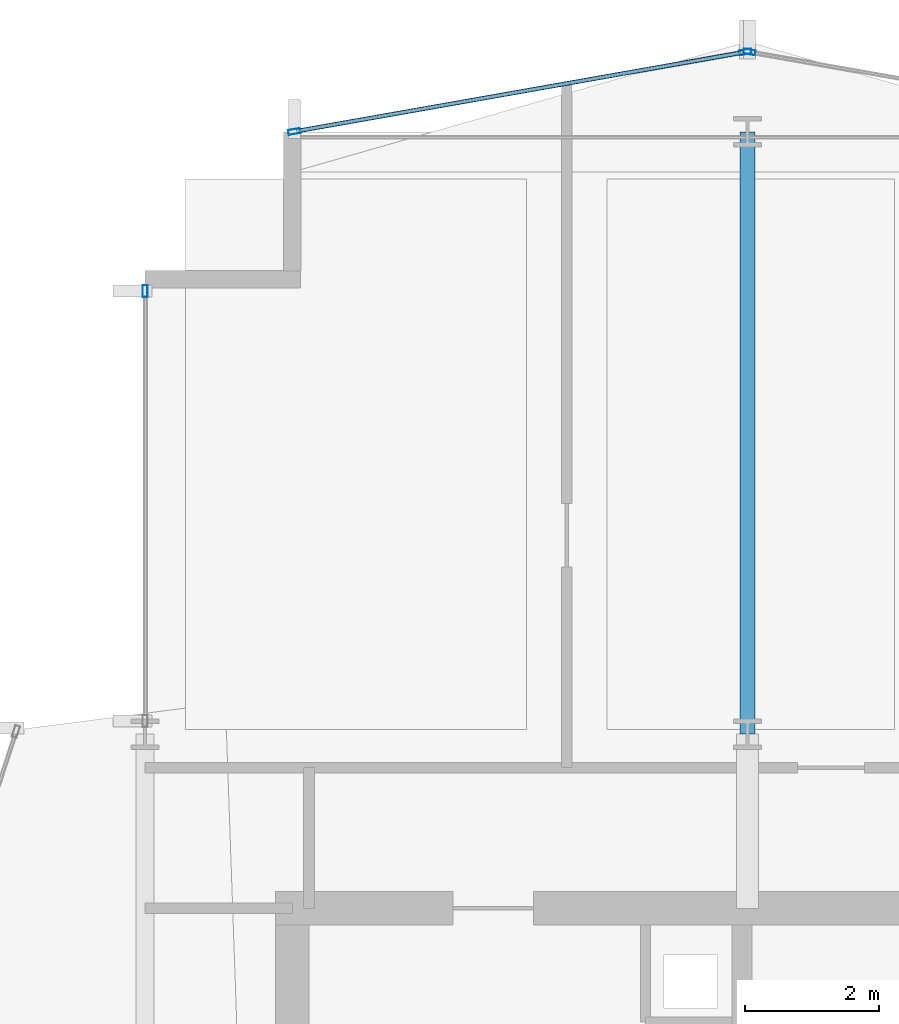
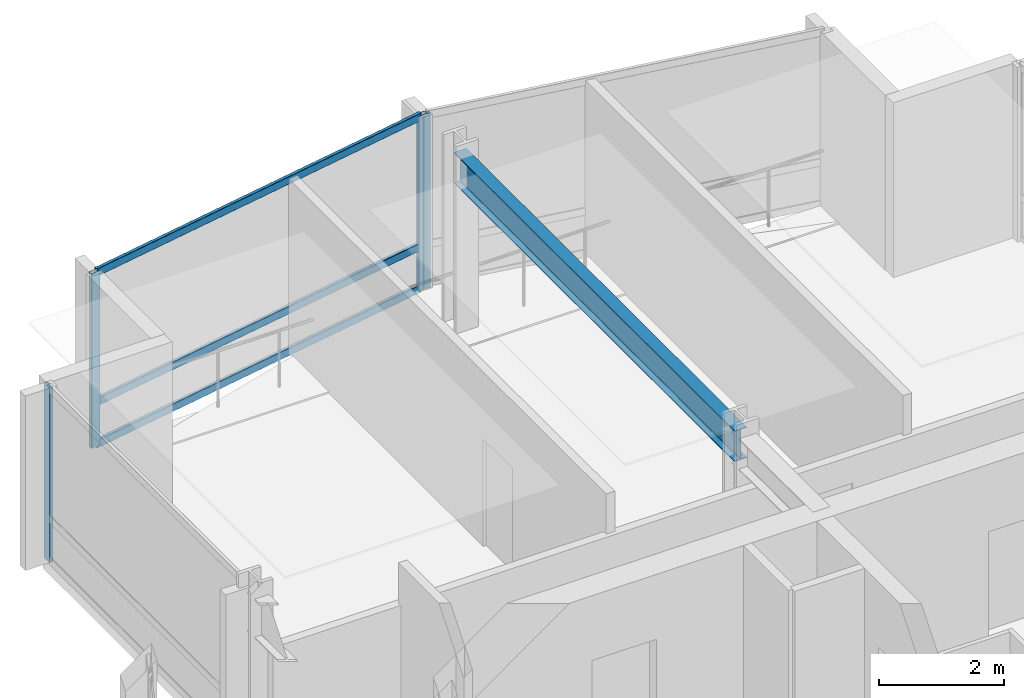
# One storey, part 19 of 29: 7 members, 1 beam, 3 elements without a shape of their own.
"""IFC4 building model written with IfcOpenShell, lengths in metres."""

from ifc_helpers import new_model, si_unit, direction, frame, origin, origin_2d, place, context, subcontext, project, spatial, hollow_rectangle, i_section, extrude, material, layer, layer_set, material_profile, profile_set, type_object, element, aggregate, save


model = new_model("IFC4")

# Units and contexts
model_context = context("Model", 3, precision=1e-05, world=origin(), true_north=direction((0.0, 1.0)))
body_context = subcontext(model_context, "Body", "Model", "MODEL_VIEW")
ifc_project = project(units=[si_unit("LENGTHUNIT", "METRE"), si_unit("AREAUNIT", "SQUARE_METRE"), si_unit("VOLUMEUNIT", "CUBIC_METRE"), si_unit("PLANEANGLEUNIT", "RADIAN"), si_unit("MASSUNIT", "GRAM", prefix="KILO")], contexts=[model_context])

# Site, building, storey
site_placement = place(None, origin())
site = spatial("IfcSite", under=ifc_project, at=site_placement, CompositionType="ELEMENT")
building_placement = place(site_placement, origin())
building = spatial("IfcBuilding", under=site, at=building_placement, Name="Solvaryn Broadcast Tower", CompositionType="ELEMENT")
storey_placement = place(building_placement, frame((0.0, 0.0, 128.5)))
storey = spatial("IfcBuildingStorey", under=building, at=storey_placement, Name="L31", CompositionType="ELEMENT", Elevation=128.5)

# Beam
ifc_material_1 = material(Name="Steel ASTM A992 Grade 50", Category="steel")
ifc_material_profile_1 = material_profile(ifc_material_1, i_section(OverallWidth=0.22802734375, OverallDepth=0.60791015625, WebThickness=0.01123046875, FlangeThickness=0.017333984375, FilletRadius=0.014892578125, at=origin_2d()))
ifc_profile_set_1 = profile_set([ifc_material_profile_1], Name="Steel ASTM A992 Grade 50")
beam_type = type_object("IfcBeamType", Name="BM-B2-W24X76", PredefinedType="BEAM", material=ifc_profile_set_1)
beam_placement = place(storey_placement, frame((18.0, 45.0, 3.115966796875), z_axis=(0.0, 1.0, 0.0), x_axis=(-1.0, 0.0, 0.0)))
element("IfcBeam", 1, at=beam_placement, inside=storey, type_object=beam_type, Name="L31 Primary Beam Y (45-54 @ X=18)", PredefinedType="BEAM", context=body_context, shape_type="SweptSolid", body=[
    extrude(i_section(OverallWidth=0.22802734375, OverallDepth=0.60791015625, WebThickness=0.01123046875, FlangeThickness=0.017333984375, FilletRadius=0.014892578125, at=origin_2d()), origin(), (0.0, 0.0, 1.0), 9.0),
])

# Curtain wall, member
ifc_material_2 = material(Name="Aluminium and Terracotta Unitised Curtain Wall", Category="masonry")
ifc_layer = layer(ifc_material_2, 0.199951171875)
ifc_layer_set = layer_set([ifc_layer], Name="CW-SYS2-LOWMID")
curtain_wall_type = type_object("IfcCurtainWallType", Name="CW-SYS2-LOWMID", PredefinedType="NOTDEFINED", material=ifc_layer_set)
curtain_wall_1_placement = place(storey_placement, origin())
curtain_wall_1 = element("IfcCurtainWall", 2, at=curtain_wall_1_placement, inside=storey, type_object=curtain_wall_type, Name="L31 Curtain Wall W2", PredefinedType="NOTDEFINED")
ifc_material_3 = material(Name="Anodised Aluminium 6063-T6", Category="aluminium")
ifc_material_profile_2 = material_profile(ifc_material_3, hollow_rectangle(XDim=0.074951171875, YDim=0.179931640625, WallThickness=0.00390625, InnerFilletRadius=0.00390625, OuterFilletRadius=0.008056640625, at=origin_2d()))
ifc_profile_set_2 = profile_set([ifc_material_profile_2], Name="Anodised Aluminium 6063-T6")
member_type_1 = type_object("IfcMemberType", Name="CW-MUL-180", PredefinedType="MULLION", material=ifc_profile_set_2)
member_1_placement = place(storey_placement, frame((9.0, 51.6201171875, 0.0), z_axis=(0.0, 0.0, 1.0), x_axis=(-1.0, 0.0, 0.0)))
member_1 = element("IfcMember", 3, at=member_1_placement, type_object=member_type_1, Name="CWS2 mullion 2", PredefinedType="MULLION", context=body_context, shape_type="SweptSolid", body=[
    extrude(hollow_rectangle(XDim=0.074951171875, YDim=0.179931640625, WallThickness=0.00390625, InnerFilletRadius=0.00390625, OuterFilletRadius=0.008056640625, at=origin_2d()), origin(), (0.0, 0.0, 1.0), 3.419921875),
])
aggregate(curtain_wall_1, [member_1])

curtain_wall_2_placement = place(storey_placement, origin())
curtain_wall_2 = element("IfcCurtainWall", 4, at=curtain_wall_2_placement, inside=storey, type_object=curtain_wall_type, Name="L31 Curtain Wall NT1", PredefinedType="NOTDEFINED")
member_2_placement = place(storey_placement, frame((18.029541015625, 55.19482421875, 0.0), z_axis=(0.0, 0.0, 1.0), x_axis=(-0.173785333901, -0.984783558819, 0.0)))
member_2 = element("IfcMember", 5, at=member_2_placement, type_object=member_type_1, Name="CWS2 mullion 2", PredefinedType="MULLION", context=body_context, shape_type="SweptSolid", body=[
    extrude(hollow_rectangle(XDim=0.074951171875, YDim=0.179931640625, WallThickness=0.00390625, InnerFilletRadius=0.00390625, OuterFilletRadius=0.008056640625, at=origin_2d()), origin(), (0.0, 0.0, 1.0), 3.419921875),
])
aggregate(curtain_wall_2, [member_2])

# Curtain wall, members
curtain_wall_3_placement = place(storey_placement, origin())
curtain_wall_3 = element("IfcCurtainWall", 6, at=curtain_wall_3_placement, inside=storey, type_object=curtain_wall_type, Name="L31 Curtain Wall NT2", PredefinedType="NOTDEFINED")
member_3_placement = place(storey_placement, frame((17.970458984375, 55.19482421875, 0.0), z_axis=(0.0, 0.0, 1.0), x_axis=(0.173785333901, -0.984783558819, 0.0)))
member_3 = element("IfcMember", 7, at=member_3_placement, type_object=member_type_1, Name="CWS2 mullion 1", PredefinedType="MULLION", context=body_context, shape_type="SweptSolid", body=[
    extrude(hollow_rectangle(XDim=0.074951171875, YDim=0.179931640625, WallThickness=0.00390625, InnerFilletRadius=0.00390625, OuterFilletRadius=0.008056640625, at=origin_2d()), origin(), (0.0, 0.0, 1.0), 3.419921875),
])
member_4_placement = place(storey_placement, frame((11.2294921875, 54.005126953125, 0.0), z_axis=(0.0, 0.0, 1.0), x_axis=(0.173785333901, -0.984783558819, 0.0)))
member_4 = element("IfcMember", 8, at=member_4_placement, type_object=member_type_1, Name="CWS2 mullion 2", PredefinedType="MULLION", context=body_context, shape_type="SweptSolid", body=[
    extrude(hollow_rectangle(XDim=0.074951171875, YDim=0.179931640625, WallThickness=0.00390625, InnerFilletRadius=0.00390625, OuterFilletRadius=0.008056640625, at=origin_2d()), origin(), (0.0, 0.0, 1.0), 3.419921875),
])
ifc_material_4 = material(Name="Anodised Aluminium 6063-T6", Category="aluminium")
ifc_material_profile_3 = material_profile(ifc_material_4, hollow_rectangle(XDim=0.06494140625, YDim=0.14990234375, WallThickness=0.00390625, InnerFilletRadius=0.00390625, OuterFilletRadius=0.008056640625, at=origin_2d()))
ifc_profile_set_3 = profile_set([ifc_material_profile_3], Name="Anodised Aluminium 6063-T6")
member_type_2 = type_object("IfcMemberType", Name="CW-TRN-150", PredefinedType="USERDEFINED", material=ifc_profile_set_3)
member_5_placement = place(storey_placement, frame((17.94091796875, 55.189453125, 0.030029296875), z_axis=(-0.984788629673, -0.173756596613, 0.0), x_axis=(0.173756596613, -0.984788629673, 0.0)))
member_5 = element("IfcMember", 9, at=member_5_placement, type_object=member_type_2, Name="CWS2 transom 1.1", ObjectType="TRANSOM", PredefinedType="USERDEFINED", context=body_context, shape_type="SweptSolid", body=[
    extrude(hollow_rectangle(XDim=0.06494140625, YDim=0.14990234375, WallThickness=0.00390625, InnerFilletRadius=0.00390625, OuterFilletRadius=0.008056640625, at=origin_2d()), origin(), (0.0, 0.0, 1.0), 6.78515625),
])
member_6_placement = place(storey_placement, frame((17.94091796875, 55.189453125, 0.85009765625), z_axis=(-0.984788629673, -0.173756596613, 0.0), x_axis=(0.173756596613, -0.984788629673, 0.0)))
member_6 = element("IfcMember", 10, at=member_6_placement, type_object=member_type_2, Name="CWS2 transom 1.2", ObjectType="TRANSOM", PredefinedType="USERDEFINED", context=body_context, shape_type="SweptSolid", body=[
    extrude(hollow_rectangle(XDim=0.06494140625, YDim=0.14990234375, WallThickness=0.00390625, InnerFilletRadius=0.00390625, OuterFilletRadius=0.008056640625, at=origin_2d()), origin(), (0.0, 0.0, 1.0), 6.78515625),
])
member_7_placement = place(storey_placement, frame((17.94091796875, 55.189453125, 3.389892578125), z_axis=(-0.984788629673, -0.173756596613, 0.0), x_axis=(0.173756596613, -0.984788629673, 0.0)))
member_7 = element("IfcMember", 11, at=member_7_placement, type_object=member_type_2, Name="CWS2 transom 1.3", ObjectType="TRANSOM", PredefinedType="USERDEFINED", context=body_context, shape_type="SweptSolid", body=[
    extrude(hollow_rectangle(XDim=0.06494140625, YDim=0.14990234375, WallThickness=0.00390625, InnerFilletRadius=0.00390625, OuterFilletRadius=0.008056640625, at=origin_2d()), origin(), (0.0, 0.0, 1.0), 6.78515625),
])
aggregate(curtain_wall_3, [member_3, member_4, member_5, member_6, member_7])

save(model, "model.ifc")
